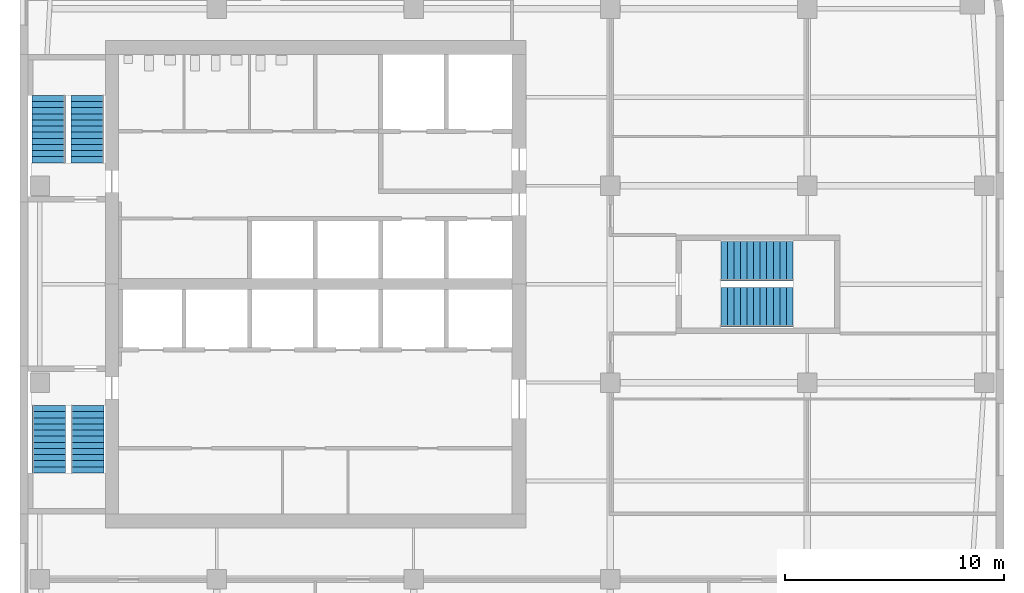
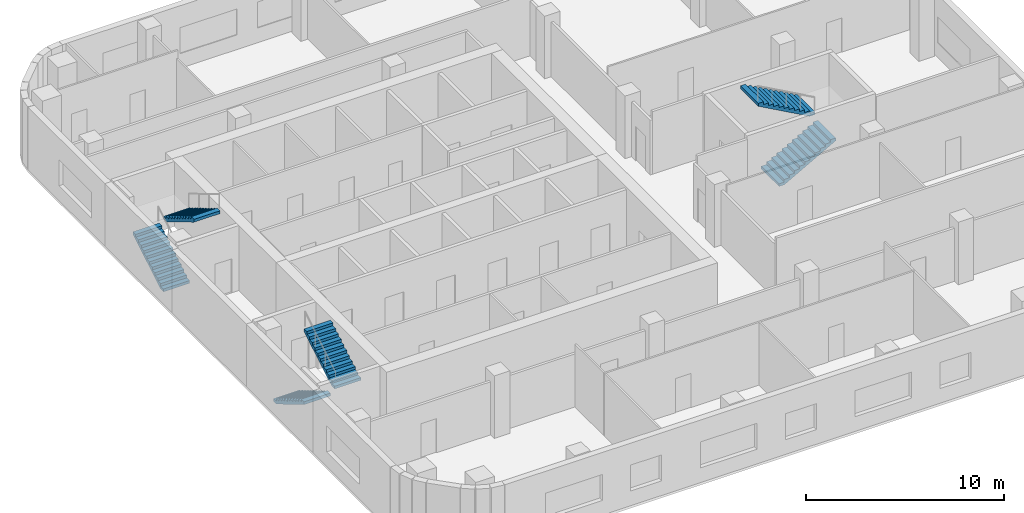
# One storey, part 6 of 8: 6 stair flights, 3 elements without a shape of their own.
"""IFC4 building model written with IfcOpenShell, lengths in metres."""

import ifcopenshell
import ifcopenshell.guid

model = None  # the IFC model being written
_history = None  # IfcOwnerHistory: only IFC2X3 demands one
_inside = {}  # id of a spatial element -> (the spatial element, [elements in it])
_under = {}  # id of a project, library or spatial element -> (it, [spatial elements below it])
_declared = {}  # id of a project -> (the project, [libraries it declares])
_typed = {}  # id of a type object -> (the type object, [elements of that type])
_made_of = {}  # id of a material, layer set ... -> (it, [elements and type objects made of it])


def new_model(schema):
    """Start an empty IFC model of exactly this schema.

    Asked for "IFC4X3", IfcOpenShell would pick the latest addendum, in which some entities
    have other attributes; the version numbers below select the first issue.
    IFC2X3 requires an IfcOwnerHistory on every rooted entity: one is made here for all.
    """
    global model, _history
    if schema == "IFC4X3":
        model = ifcopenshell.file(schema_version=(4, 3, 0, 0))
    else:
        model = ifcopenshell.file(schema=schema)
    _inside.clear()
    _under.clear()
    _declared.clear()
    _typed.clear()
    _made_of.clear()
    _history = None
    if model.schema == "IFC2X3":
        org = make("IfcOrganization", Name="unknown")
        user = make(
            "IfcPersonAndOrganization",
            ThePerson=make("IfcPerson", FamilyName="unknown"),
            TheOrganization=org,
        )
        app = make(
            "IfcApplication",
            ApplicationDeveloper=org,
            Version="unknown",
            ApplicationFullName="unknown",
            ApplicationIdentifier="unknown",
        )
        _history = make(
            "IfcOwnerHistory",
            OwningUser=user,
            OwningApplication=app,
            ChangeAction="ADDED",
            CreationDate=0,
        )
    return model


def make(cls, **values):
    """One entity of the class cls with the attributes given. An attribute that is None is left unset."""
    return model.create_entity(
        cls, **{name: value for name, value in values.items() if value is not None}
    )


def rooted(cls, **values):
    """An entity with a GlobalId (a new one), such as an element, a storey or a relation."""
    return make(cls, GlobalId=ifcopenshell.guid.new(), OwnerHistory=_history, **values)


def si_unit(unit_type, name, prefix=None):
    """IfcSIUnit, for example si_unit("LENGTHUNIT", "METRE", prefix="MILLI")."""
    return make("IfcSIUnit", UnitType=unit_type, Prefix=prefix, Name=name)


def assignment(units):
    """IfcUnitAssignment: the units of a project."""
    return None if units is None else make("IfcUnitAssignment", Units=units)


def point(xyz):
    """IfcCartesianPoint."""
    return None if xyz is None else make("IfcCartesianPoint", Coordinates=xyz)


def direction(xyz):
    """IfcDirection."""
    return None if xyz is None else make("IfcDirection", DirectionRatios=xyz)


def frame(location, z_axis=None, x_axis=None):
    """IfcAxis2Placement3D, a coordinate frame: its origin and axes. An axis left out is left unset."""
    return make(
        "IfcAxis2Placement3D",
        Location=point(location),
        Axis=direction(z_axis),
        RefDirection=direction(x_axis),
    )


def origin():
    """The frame at (0, 0, 0) with its axes left unset."""
    return frame((0.0, 0.0, 0.0))


def place(relative_to, where):
    """IfcLocalPlacement: puts the frame where relative to a parent placement (None: the world)."""
    return make(
        "IfcLocalPlacement", PlacementRelTo=relative_to, RelativePlacement=where
    )


def context(
    kind, dimensions, precision=None, world=None, true_north=None, identifier=None
):
    """IfcGeometricRepresentationContext, for example the 3D "Model" context."""
    return make(
        "IfcGeometricRepresentationContext",
        ContextIdentifier=identifier,
        ContextType=kind,
        CoordinateSpaceDimension=dimensions,
        Precision=precision,
        WorldCoordinateSystem=world,
        TrueNorth=true_north,
    )


def subcontext(parent, identifier, kind, view, scale=None):
    """IfcGeometricRepresentationSubContext, for example "Body" below "Model"."""
    return make(
        "IfcGeometricRepresentationSubContext",
        ContextIdentifier=identifier,
        ContextType=kind,
        ParentContext=parent,
        TargetScale=scale,
        TargetView=view,
    )


def project(units=None, contexts=None):
    """IfcProject with its units and contexts."""
    return rooted(
        "IfcProject",
        Name="project",
        RepresentationContexts=contexts,
        UnitsInContext=assignment(units),
    )


def spatial(cls, under=None, at=None, **own):
    """A site, building, storey or space (cls), placed at a placement, below another one or the project."""
    s = rooted(cls, ObjectPlacement=at, **own)
    if under is not None:
        _under.setdefault(under.id(), (under, []))[1].append(s)
    return s


def polyline(points):
    """IfcPolyline through the points."""
    return make("IfcPolyline", Points=[point(p) for p in points])


def outline(outer, holes=None, kind="AREA"):
    """IfcArbitraryClosedProfileDef: a profile drawn as a closed curve; with holes, ...WithVoids."""
    if holes is None:
        return make("IfcArbitraryClosedProfileDef", ProfileType=kind, OuterCurve=outer)
    return make(
        "IfcArbitraryProfileDefWithVoids",
        ProfileType=kind,
        OuterCurve=outer,
        InnerCurves=holes,
    )


def extrude(swept, where, along, depth):
    """IfcExtrudedAreaSolid: the profile swept, set in the frame where, extruded along a direction by depth."""
    return make(
        "IfcExtrudedAreaSolid",
        SweptArea=swept,
        Position=where,
        ExtrudedDirection=direction(along),
        Depth=depth,
    )


def shape(context_of_items, identifier, shape_type, items):
    """IfcShapeRepresentation: the items that make up one representation, for example the "Body"."""
    return make(
        "IfcShapeRepresentation",
        ContextOfItems=context_of_items,
        RepresentationIdentifier=identifier,
        RepresentationType=shape_type,
        Items=items,
    )


def material(Name=None, Category=None):
    """IfcMaterial."""
    return make("IfcMaterial", Name=Name, Category=Category)


def made_of(thing, what):
    """Note that an element or type object is made of a material, layer set ...; save() writes the relation."""
    if what is not None:
        _made_of.setdefault(what.id(), (what, []))[1].append(thing)
    return thing


def type_object(cls, material=None, **own):
    """A type object (cls), such as IfcWallType, which elements share."""
    return made_of(rooted(cls, **own), material)


def element(
    cls,
    number,
    at=None,
    inside=None,
    cuts=None,
    type_object=None,
    material=None,
    context=None,
    identifier="Body",
    shape_type=None,
    held_by="IfcProductDefinitionShape",
    body=None,
    shapes=None,
    **own,
):
    """One element of the class cls, such as IfcWall. Its Tag is "e" and its number.

    at: its placement. inside: the storey or other place that contains it. cuts: it is an
    opening in that element (IfcRelVoidsElement). A single representation is given by context,
    identifier, shape_type and body (its items); several are given by shapes. held_by: the class
    of the entity that holds the representations. save() writes the other relations.
    """
    e = rooted(cls, Tag="e%d" % number, ObjectPlacement=at, **own)
    if body is not None:
        shapes = [shape(context, identifier, shape_type, body)]
    if shapes is not None:
        e.Representation = make(held_by, Representations=shapes)
    if inside is not None:
        _inside.setdefault(inside.id(), (inside, []))[1].append(e)
    if cuts is not None:
        rooted(
            "IfcRelVoidsElement", RelatingBuildingElement=cuts, RelatedOpeningElement=e
        )
    if type_object is not None:
        _typed.setdefault(type_object.id(), (type_object, []))[1].append(e)
    return made_of(e, material)


def aggregate(whole, parts):
    """IfcRelAggregates: a whole, such as a stair, and the parts it consists of."""
    return rooted("IfcRelAggregates", RelatingObject=whole, RelatedObjects=parts)


def save(model, path):
    """Write the relations noted so far, then the file.

    IfcRelAggregates (storeys below a building ...), IfcRelContainedInSpatialStructure (elements
    in a storey), IfcRelDefinesByType, IfcRelAssociatesMaterial and IfcRelDeclares: one each for
    every whole, place, type object, material and project.
    """
    for whole, parts in _under.values():
        aggregate(whole, parts)
    for where, things in _inside.values():
        rooted(
            "IfcRelContainedInSpatialStructure",
            RelatedElements=things,
            RelatingStructure=where,
        )
    for kind, things in _typed.values():
        rooted("IfcRelDefinesByType", RelatedObjects=things, RelatingType=kind)
    for what, things in _made_of.values():
        rooted("IfcRelAssociatesMaterial", RelatedObjects=things, RelatingMaterial=what)
    for by, libraries in _declared.values():
        rooted("IfcRelDeclares", RelatingContext=by, RelatedDefinitions=libraries)
    model.write(path)


model = new_model("IFC4")

# Units and contexts
model_context = context("Model", 3, precision=1e-05, world=origin(), true_north=direction((0.0, 1.0)))
body_context = subcontext(model_context, "Body", "Model", "MODEL_VIEW")
ifc_project = project(units=[si_unit("LENGTHUNIT", "METRE"), si_unit("AREAUNIT", "SQUARE_METRE"), si_unit("VOLUMEUNIT", "CUBIC_METRE"), si_unit("PLANEANGLEUNIT", "RADIAN"), si_unit("MASSUNIT", "GRAM", prefix="KILO")], contexts=[model_context])

# Site, building, storey
site_placement = place(None, origin())
site = spatial("IfcSite", under=ifc_project, at=site_placement, CompositionType="ELEMENT")
building_placement = place(site_placement, origin())
building = spatial("IfcBuilding", under=site, at=building_placement, Name="Cinnabar Reach Civic Tower", CompositionType="ELEMENT")
storey_placement = place(building_placement, frame((0.0, 0.0, 165.0)))
storey = spatial("IfcBuildingStorey", under=building, at=storey_placement, Name="L39", CompositionType="ELEMENT", Elevation=165.0)

# Stair, stair flights
ifc_material = material(Name="Concrete C40/50", Category="concrete")
stair_type = type_object("IfcStairType", Name="T1 Exit stair, half-turn", PredefinedType="HALF_TURN_STAIR", material=ifc_material)
stair_1_placement = place(storey_placement, origin())
stair_1 = element("IfcStair", 1, at=stair_1_placement, inside=storey, type_object=stair_type, Name="Stair T1-S1", PredefinedType="HALF_TURN_STAIR")
stair_flight_type = type_object("IfcStairFlightType", Name="T1 Stair flight, concrete", PredefinedType="STRAIGHT", material=ifc_material)
stair_flight_1_placement = place(storey_placement, frame((1.3125, 25.95, 0.0), z_axis=(0.0, 0.0, 1.0), x_axis=(0.0, -1.0, 0.0)))
stair_flight_1 = element("IfcStairFlight", 2, at=stair_flight_1_placement, type_object=stair_flight_type, Name="T1-S1 flight 1", NumberOfRisers=12, NumberOfTreads=11, PredefinedType="STRAIGHT", RiserHeight=0.166666667, TreadLength=0.28, context=body_context, shape_type="SweptSolid", body=[
    extrude(outline(polyline([(0.0, 0.0), (0.0, 0.1667), (0.28, 0.1667), (0.28, 0.3333), (0.56, 0.3333), (0.56, 0.5), (0.84, 0.5), (0.84, 0.6667), (1.12, 0.6667), (1.12, 0.8333), (1.4, 0.8333), (1.4, 1.0), (1.68, 1.0), (1.68, 1.1667), (1.96, 1.1667), (1.96, 1.3333), (2.24, 1.3333), (2.24, 1.5), (2.52, 1.5), (2.52, 1.6667), (2.8, 1.6667), (2.8, 1.8333), (3.08, 1.8333), (3.08, 2.0), (3.08, 1.6588), (0.2933, 0.0), (0.0, 0.0)])), frame((0.0, 0.7625, 0.0), z_axis=(0.0, -1.0, 0.0), x_axis=(1.0, 0.0, 0.0)), (0.0, 0.0, 1.0), 1.525),
])
stair_flight_2_placement = place(storey_placement, frame((3.0875, 22.87, 2.0), z_axis=(0.0, 0.0, 1.0), x_axis=(0.0, 1.0, 0.0)))
stair_flight_2 = element("IfcStairFlight", 3, at=stair_flight_2_placement, type_object=stair_flight_type, Name="T1-S1 flight 2", NumberOfRisers=12, NumberOfTreads=11, PredefinedType="STRAIGHT", RiserHeight=0.166666667, TreadLength=0.28, context=body_context, shape_type="SweptSolid", body=[
    extrude(outline(polyline([(0.0, 0.0), (0.0, 0.1667), (0.28, 0.1667), (0.28, 0.3333), (0.56, 0.3333), (0.56, 0.5), (0.84, 0.5), (0.84, 0.6667), (1.12, 0.6667), (1.12, 0.8333), (1.4, 0.8333), (1.4, 1.0), (1.68, 1.0), (1.68, 1.1667), (1.96, 1.1667), (1.96, 1.3333), (2.24, 1.3333), (2.24, 1.5), (2.52, 1.5), (2.52, 1.6667), (2.8, 1.6667), (2.8, 1.8333), (3.08, 1.8333), (3.08, 2.0), (3.08, 1.6588), (0.2933, 0.0), (0.0, 0.0)])), frame((0.0, 0.7625, 0.0), z_axis=(0.0, -1.0, 0.0), x_axis=(1.0, 0.0, 0.0)), (0.0, 0.0, 1.0), 1.525),
])
aggregate(stair_1, [stair_flight_1, stair_flight_2])

stair_2_placement = place(storey_placement, origin())
stair_2 = element("IfcStair", 4, at=stair_2_placement, inside=storey, type_object=stair_type, Name="Stair T1-S2", PredefinedType="HALF_TURN_STAIR")
stair_flight_3_placement = place(storey_placement, frame((1.3125, 37.05, 0.0), z_axis=(0.0, 0.0, 1.0), x_axis=(0.0, 1.0, 0.0)))
stair_flight_3 = element("IfcStairFlight", 5, at=stair_flight_3_placement, type_object=stair_flight_type, Name="T1-S2 flight 1", NumberOfRisers=12, NumberOfTreads=11, PredefinedType="STRAIGHT", RiserHeight=0.166666667, TreadLength=0.28, context=body_context, shape_type="SweptSolid", body=[
    extrude(outline(polyline([(0.0, 0.0), (0.0, 0.1667), (0.28, 0.1667), (0.28, 0.3333), (0.56, 0.3333), (0.56, 0.5), (0.84, 0.5), (0.84, 0.6667), (1.12, 0.6667), (1.12, 0.8333), (1.4, 0.8333), (1.4, 1.0), (1.68, 1.0), (1.68, 1.1667), (1.96, 1.1667), (1.96, 1.3333), (2.24, 1.3333), (2.24, 1.5), (2.52, 1.5), (2.52, 1.6667), (2.8, 1.6667), (2.8, 1.8333), (3.08, 1.8333), (3.08, 2.0), (3.08, 1.6588), (0.2933, 0.0), (0.0, 0.0)])), frame((0.0, 0.7625, 0.0), z_axis=(0.0, -1.0, 0.0), x_axis=(1.0, 0.0, 0.0)), (0.0, 0.0, 1.0), 1.525),
])
stair_flight_4_placement = place(storey_placement, frame((3.0875, 40.13, 2.0), z_axis=(0.0, 0.0, 1.0), x_axis=(0.0, -1.0, 0.0)))
stair_flight_4 = element("IfcStairFlight", 6, at=stair_flight_4_placement, type_object=stair_flight_type, Name="T1-S2 flight 2", NumberOfRisers=12, NumberOfTreads=11, PredefinedType="STRAIGHT", RiserHeight=0.166666667, TreadLength=0.28, context=body_context, shape_type="SweptSolid", body=[
    extrude(outline(polyline([(0.0, 0.0), (0.0, 0.1667), (0.28, 0.1667), (0.28, 0.3333), (0.56, 0.3333), (0.56, 0.5), (0.84, 0.5), (0.84, 0.6667), (1.12, 0.6667), (1.12, 0.8333), (1.4, 0.8333), (1.4, 1.0), (1.68, 1.0), (1.68, 1.1667), (1.96, 1.1667), (1.96, 1.3333), (2.24, 1.3333), (2.24, 1.5), (2.52, 1.5), (2.52, 1.6667), (2.8, 1.6667), (2.8, 1.8333), (3.08, 1.8333), (3.08, 2.0), (3.08, 1.6588), (0.2933, 0.0), (0.0, 0.0)])), frame((0.0, 0.7625, 0.0), z_axis=(0.0, -1.0, 0.0), x_axis=(1.0, 0.0, 0.0)), (0.0, 0.0, 1.0), 1.525),
])
aggregate(stair_2, [stair_flight_3, stair_flight_4])

stair_3_placement = place(storey_placement, origin())
stair_3 = element("IfcStair", 7, at=stair_3_placement, inside=storey, type_object=stair_type, Name="Stair T1-S3", PredefinedType="HALF_TURN_STAIR")
stair_flight_5_placement = place(storey_placement, frame((32.05, 30.45, 0.0), z_axis=(0.0, 0.0, 1.0), x_axis=(1.0, 0.0, 0.0)))
stair_flight_5 = element("IfcStairFlight", 8, at=stair_flight_5_placement, type_object=stair_flight_type, Name="T1-S3 flight 1", NumberOfRisers=12, NumberOfTreads=11, PredefinedType="STRAIGHT", RiserHeight=0.166666667, TreadLength=0.3, context=body_context, shape_type="SweptSolid", body=[
    extrude(outline(polyline([(0.0, 0.0), (0.0, 0.1667), (0.3, 0.1667), (0.3, 0.3333), (0.6, 0.3333), (0.6, 0.5), (0.9, 0.5), (0.9, 0.6667), (1.2, 0.6667), (1.2, 0.8333), (1.5, 0.8333), (1.5, 1.0), (1.8, 1.0), (1.8, 1.1667), (2.1, 1.1667), (2.1, 1.3333), (2.4, 1.3333), (2.4, 1.5), (2.7, 1.5), (2.7, 1.6667), (3.0, 1.6667), (3.0, 1.8333), (3.3, 1.8333), (3.3, 2.0), (3.3, 1.6617), (0.3089, 0.0), (0.0, 0.0)])), frame((0.0, 0.9, 0.0), z_axis=(0.0, -1.0, 0.0), x_axis=(1.0, 0.0, 0.0)), (0.0, 0.0, 1.0), 1.8),
])
stair_flight_6_placement = place(storey_placement, frame((35.35, 32.55, 2.0), z_axis=(0.0, 0.0, 1.0), x_axis=(-1.0, 0.0, 0.0)))
stair_flight_6 = element("IfcStairFlight", 9, at=stair_flight_6_placement, type_object=stair_flight_type, Name="T1-S3 flight 2", NumberOfRisers=12, NumberOfTreads=11, PredefinedType="STRAIGHT", RiserHeight=0.166666667, TreadLength=0.3, context=body_context, shape_type="SweptSolid", body=[
    extrude(outline(polyline([(0.0, 0.0), (0.0, 0.1667), (0.3, 0.1667), (0.3, 0.3333), (0.6, 0.3333), (0.6, 0.5), (0.9, 0.5), (0.9, 0.6667), (1.2, 0.6667), (1.2, 0.8333), (1.5, 0.8333), (1.5, 1.0), (1.8, 1.0), (1.8, 1.1667), (2.1, 1.1667), (2.1, 1.3333), (2.4, 1.3333), (2.4, 1.5), (2.7, 1.5), (2.7, 1.6667), (3.0, 1.6667), (3.0, 1.8333), (3.3, 1.8333), (3.3, 2.0), (3.3, 1.6617), (0.3089, 0.0), (0.0, 0.0)])), frame((0.0, 0.9, 0.0), z_axis=(0.0, -1.0, 0.0), x_axis=(1.0, 0.0, 0.0)), (0.0, 0.0, 1.0), 1.8),
])
aggregate(stair_3, [stair_flight_5, stair_flight_6])

save(model, "model.ifc")
